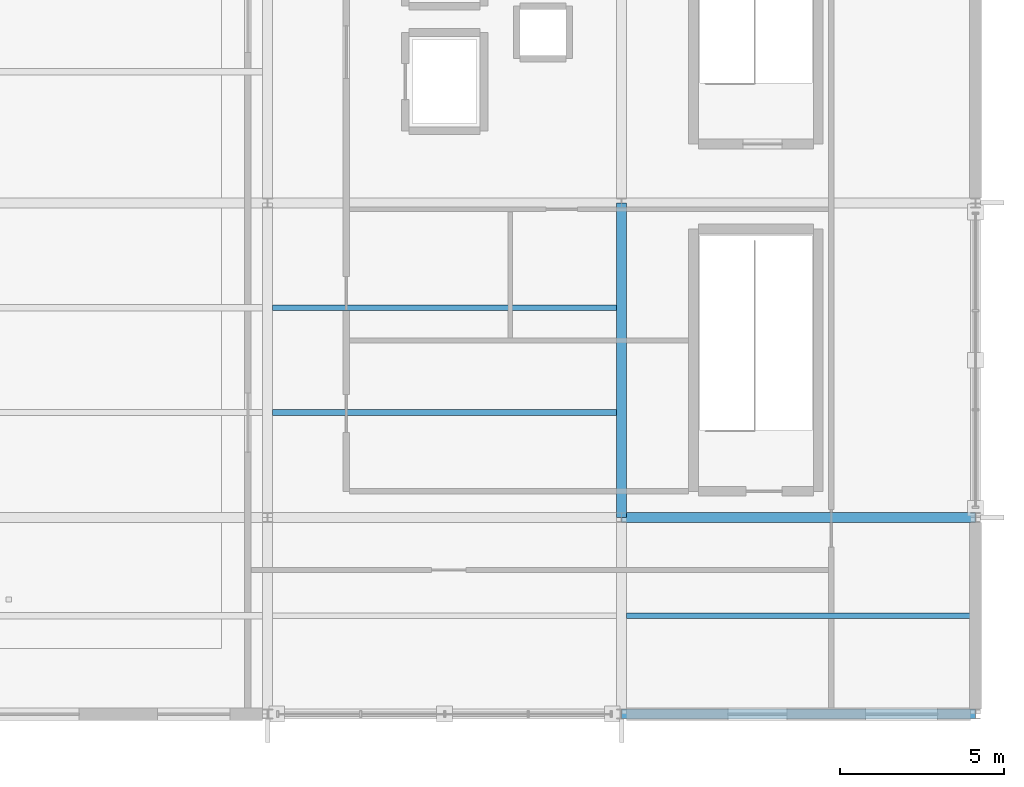
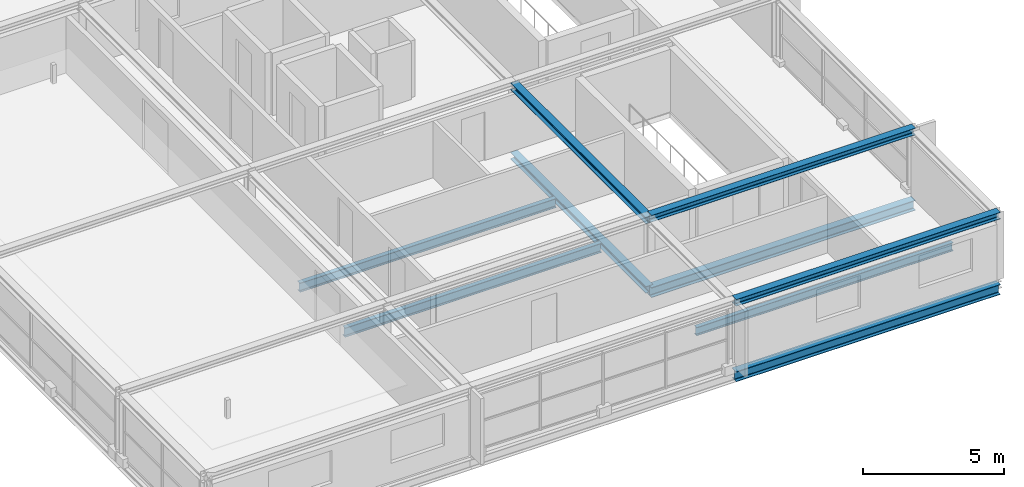
# One storey, part 7 of 14: 9 beams.
"""IFC4 building model written with IfcOpenShell, lengths in metres."""

from ifc_helpers import new_model, si_unit, direction, frame, origin, origin_2d, place, context, subcontext, project, spatial, i_section, extrude, material, material_profile, profile_set, type_object, element, save


model = new_model("IFC4")

# Units and contexts
model_context = context("Model", 3, precision=1e-05, world=origin(), true_north=direction((0.0, 1.0)))
body_context = subcontext(model_context, "Body", "Model", "MODEL_VIEW")
ifc_project = project(units=[si_unit("LENGTHUNIT", "METRE"), si_unit("AREAUNIT", "SQUARE_METRE"), si_unit("VOLUMEUNIT", "CUBIC_METRE"), si_unit("PLANEANGLEUNIT", "RADIAN"), si_unit("MASSUNIT", "GRAM", prefix="KILO")], contexts=[model_context])

# Site, building, storey
site_placement = place(None, origin())
site = spatial("IfcSite", under=ifc_project, at=site_placement, CompositionType="ELEMENT")
building_placement = place(site_placement, origin())
building = spatial("IfcBuilding", under=site, at=building_placement, Name="Merenkruunu Market Hall", CompositionType="ELEMENT")
storey_placement = place(building_placement, frame((0.0, 0.0, 18.60009765625)))
storey = spatial("IfcBuildingStorey", under=building, at=storey_placement, Name="L04", CompositionType="ELEMENT", Elevation=18.60009765625)

# Beams
ifc_material = material(Name="Steel S355J2", Category="steel")
ifc_material_profile_1 = material_profile(ifc_material, i_section(OverallWidth=0.300048828125, OverallDepth=0.43994140625, WebThickness=0.011474609375, FlangeThickness=0.02099609375, FilletRadius=0.027099609375, at=origin_2d()), Name="HEA 450")
ifc_profile_set_1 = profile_set([ifc_material_profile_1], Name="Steel S355J2")
beam_type_1 = type_object("IfcBeamType", Name="Primary Floor Girder B07", PredefinedType="BEAM", material=ifc_profile_set_1)
for number, where, z_axis, x_axis, name in (
    (1, (181.199951171875, 0.0, -0.440185546875), (1.0, 0.0, 0.0), (0.0, 1.0, 0.0), "BM-L04-B07-0917"),
    (2, (181.199951171875, 6.0, -0.440185546875), (1.0, 0.0, 0.0), (0.0, 1.0, 0.0), "BM-L04-B07-0920"),
):
    element("IfcBeam", number, at=place(storey_placement, frame(where, z_axis=z_axis, x_axis=x_axis)), inside=storey, type_object=beam_type_1, Name=name, PredefinedType="BEAM", context=body_context, shape_type="SweptSolid", body=[
        extrude(i_section(OverallWidth=0.300048828125, OverallDepth=0.43994140625, WebThickness=0.011474609375, FlangeThickness=0.02099609375, FilletRadius=0.027099609375, at=origin_2d()), origin(), (0.0, 0.0, 1.0), 10.800048828125),
    ])
ifc_material_profile_2 = material_profile(ifc_material, i_section(OverallWidth=0.300048828125, OverallDepth=0.2900390625, WebThickness=0.008544921875, FlangeThickness=0.013916015625, FilletRadius=0.027099609375, at=origin_2d()), Name="HEA 300")
ifc_profile_set_2 = profile_set([ifc_material_profile_2], Name="Steel S355J2")
beam_type_2 = type_object("IfcBeamType", Name="Primary Floor Girder B09", PredefinedType="BEAM", material=ifc_profile_set_2)
beam_1_placement = place(storey_placement, frame((181.199951171875, 6.0, -0.364990234375), z_axis=(0.0, 1.0, 0.0), x_axis=(-1.0, 0.0, 0.0)))
element("IfcBeam", 3, at=beam_1_placement, inside=storey, type_object=beam_type_2, Name="BM-L04-B09-0939", PredefinedType="BEAM", context=body_context, shape_type="SweptSolid", body=[
    extrude(i_section(OverallWidth=0.300048828125, OverallDepth=0.2900390625, WebThickness=0.008544921875, FlangeThickness=0.013916015625, FilletRadius=0.027099609375, at=origin_2d()), origin(), (0.0, 0.0, 1.0), 9.60009765625),
])
for number, where, z_axis, x_axis, name in (
    (4, (181.199951171875, 0.0, 2.7548828125), (1.0, 0.0, 0.0), (0.0, 1.0, 0.0), "BM-L04-B09-1311"),
    (5, (181.199951171875, 6.0, 2.7548828125), (1.0, 0.0, 0.0), (0.0, 1.0, 0.0), "BM-L04-B09-1314"),
):
    element("IfcBeam", number, at=place(storey_placement, frame(where, z_axis=z_axis, x_axis=x_axis)), inside=storey, type_object=beam_type_2, Name=name, PredefinedType="BEAM", context=body_context, shape_type="SweptSolid", body=[
        extrude(i_section(OverallWidth=0.300048828125, OverallDepth=0.2900390625, WebThickness=0.008544921875, FlangeThickness=0.013916015625, FilletRadius=0.027099609375, at=origin_2d()), origin(), (0.0, 0.0, 1.0), 10.800048828125),
    ])
beam_2_placement = place(storey_placement, frame((181.199951171875, 6.0, 2.635009765625), z_axis=(0.0, 1.0, 0.0), x_axis=(-1.0, 0.0, 0.0)))
element("IfcBeam", 6, at=beam_2_placement, inside=storey, type_object=beam_type_2, Name="BM-L04-B09-1328", PredefinedType="BEAM", context=body_context, shape_type="SweptSolid", body=[
    extrude(i_section(OverallWidth=0.300048828125, OverallDepth=0.2900390625, WebThickness=0.008544921875, FlangeThickness=0.013916015625, FilletRadius=0.027099609375, at=origin_2d()), origin(), (0.0, 0.0, 1.0), 9.60009765625),
])
ifc_material_profile_3 = material_profile(ifc_material, i_section(OverallWidth=0.179931640625, OverallDepth=0.39990234375, WebThickness=0.008544921875, FlangeThickness=0.013427734375, FilletRadius=0.02099609375, at=origin_2d()), Name="IPE 400")
ifc_profile_set_3 = profile_set([ifc_material_profile_3], Name="Steel S355J2")
beam_type_3 = type_object("IfcBeamType", Name="Secondary Floor Joist J02", PredefinedType="JOIST", material=ifc_profile_set_3)
for number, where, z_axis, x_axis, name in (
    (7, (170.552978515625, 9.199951171875, -0.420166015625), (1.0, 0.0, 0.0), (0.0, 1.0, 0.0), "BM-L04-J02-0954"),
    (8, (170.552978515625, 12.39990234375, -0.420166015625), (1.0, 0.0, 0.0), (0.0, 1.0, 0.0), "BM-L04-J02-0955"),
):
    element("IfcBeam", number, at=place(storey_placement, frame(where, z_axis=z_axis, x_axis=x_axis)), inside=storey, type_object=beam_type_3, Name=name, PredefinedType="JOIST", context=body_context, shape_type="SweptSolid", body=[
        extrude(i_section(OverallWidth=0.179931640625, OverallDepth=0.39990234375, WebThickness=0.008544921875, FlangeThickness=0.013427734375, FilletRadius=0.02099609375, at=origin_2d()), origin(), (0.0, 0.0, 1.0), 10.494140625),
    ])
ifc_material_profile_4 = material_profile(ifc_material, i_section(OverallWidth=0.169921875, OverallDepth=0.360107421875, WebThickness=0.008056640625, FlangeThickness=0.0126953125, FilletRadius=0.01806640625, at=origin_2d()), Name="IPE 360")
ifc_profile_set_4 = profile_set([ifc_material_profile_4], Name="Steel S355J2")
beam_type_4 = type_object("IfcBeamType", Name="Secondary Floor Joist J03", PredefinedType="JOIST", material=ifc_profile_set_4)
beam_3_placement = place(storey_placement, frame((181.35302734375, 3.0, -0.400146484375), z_axis=(1.0, 0.0, 0.0), x_axis=(0.0, 1.0, 0.0)))
element("IfcBeam", 9, at=beam_3_placement, inside=storey, type_object=beam_type_4, Name="BM-L04-J03-0958", PredefinedType="JOIST", context=body_context, shape_type="SweptSolid", body=[
    extrude(i_section(OverallWidth=0.169921875, OverallDepth=0.360107421875, WebThickness=0.008056640625, FlangeThickness=0.0126953125, FilletRadius=0.01806640625, at=origin_2d()), origin(), (0.0, 0.0, 1.0), 10.493896484375),
])

save(model, "model.ifc")
